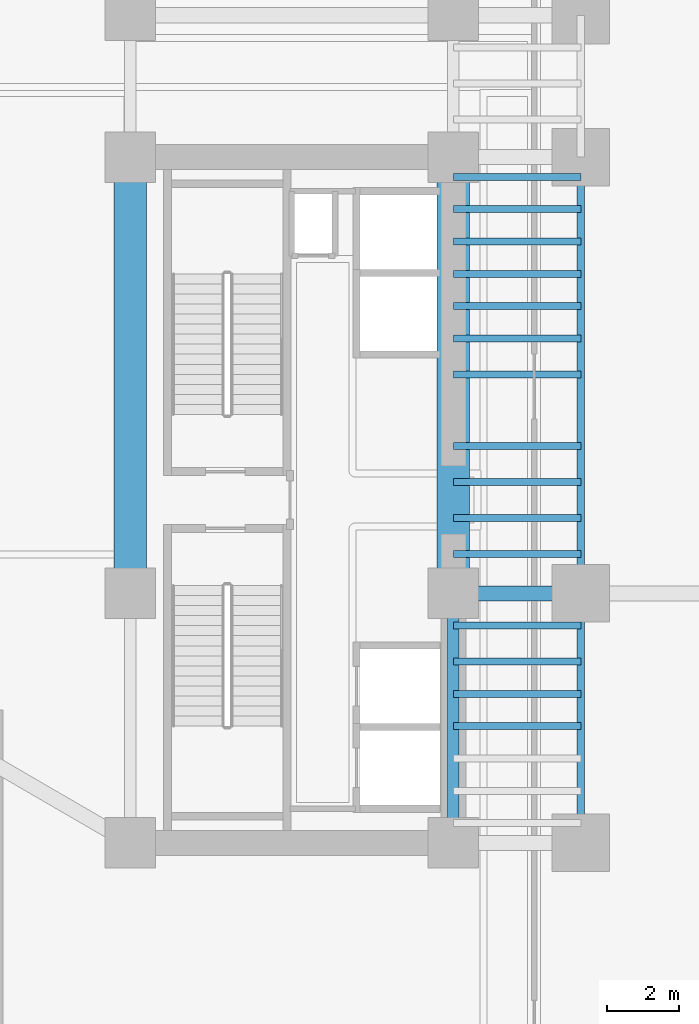
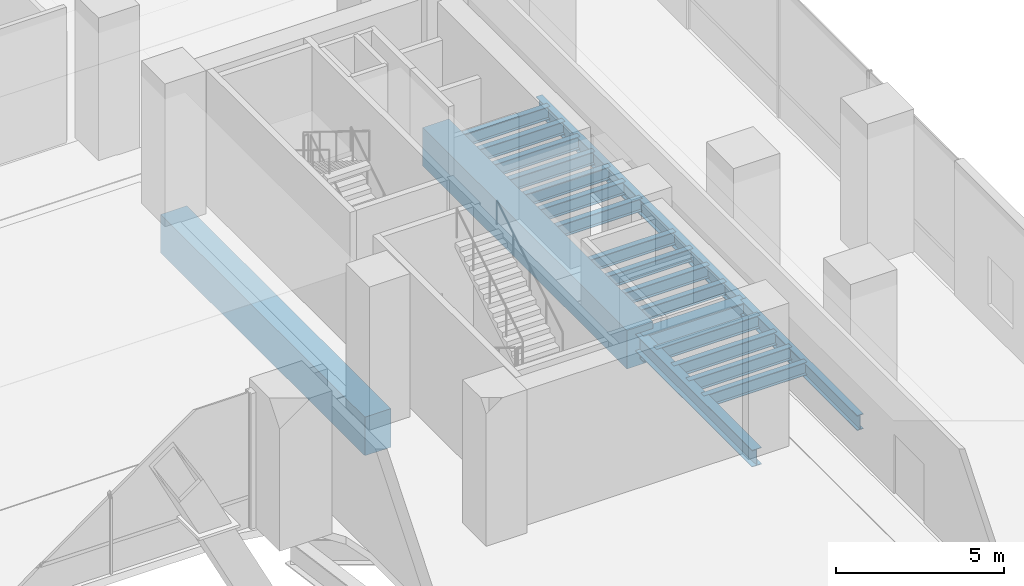
# One storey, part 11 of 39: 21 beams.
"""IFC4 building model written with IfcOpenShell, lengths in metres."""

from ifc_helpers import new_model, si_unit, direction, frame, origin, origin_2d, place, context, subcontext, project, spatial, rectangle, i_section, extrude, source, transform, mapped, material, material_profile, profile_set, type_object, element, save


model = new_model("IFC4")

# Units and contexts
model_context = context("Model", 3, precision=1e-05, world=origin(), true_north=direction((0.0, 1.0)))
body_context = subcontext(model_context, "Body", "Model", "MODEL_VIEW")
ifc_project = project(units=[si_unit("LENGTHUNIT", "METRE"), si_unit("AREAUNIT", "SQUARE_METRE"), si_unit("VOLUMEUNIT", "CUBIC_METRE"), si_unit("PLANEANGLEUNIT", "RADIAN"), si_unit("MASSUNIT", "GRAM", prefix="KILO")], contexts=[model_context])

# Site, building, storey
site_placement = place(None, origin())
site = spatial("IfcSite", under=ifc_project, at=site_placement, CompositionType="ELEMENT")
building_placement = place(site_placement, origin())
building = spatial("IfcBuilding", under=site, at=building_placement, Name="Valdorenza Pilgrim Sanctuary Tower", CompositionType="ELEMENT")
storey_placement = place(building_placement, frame((0.0, 0.0, 10.39990234375)))
storey = spatial("IfcBuildingStorey", under=building, at=storey_placement, Name="L02", CompositionType="ELEMENT", Elevation=10.39990234375)

# Beams
ifc_material_1 = material(Name="Concrete C60/75", Category="concrete")
ifc_material_profile_1 = material_profile(ifc_material_1, rectangle(XDim=0.89990234375, YDim=1.39990234375, at=origin_2d()), Name="RC 1400x900")
ifc_profile_set_1 = profile_set([ifc_material_profile_1], Name="Concrete C60/75")
beam_type_1 = type_object("IfcBeamType", Name="STR-BM-LNT-1400", PredefinedType="LINTEL", material=ifc_profile_set_1)
shared_shape_1 = source(origin(), body_context, "Body", "SweptSolid", [
    extrude(rectangle(XDim=0.89990234375, YDim=1.39990234375, at=origin_2d()), origin(), (0.0, 0.0, 1.0), 12.150146484375),
])
for number, where, z_axis, x_axis, name in (
    (1, (15.85009765625, -2.60009765625, -0.739990234375), (0.0, 1.0, 0.0), (-1.0, 0.0, 0.0), "L02 Core B West Coupling Lintel Girder"),
    (2, (24.85009765625, -2.60009765625, -0.739990234375), (0.0, 1.0, 0.0), (-1.0, 0.0, 0.0), "L02 Core B East Coupling Lintel Girder"),
):
    element("IfcBeam", number, at=place(storey_placement, frame(where, z_axis=z_axis, x_axis=x_axis)), inside=storey, type_object=beam_type_1, Name=name, PredefinedType="LINTEL", context=body_context, shape_type="MappedRepresentation", body=[
        mapped(shared_shape_1, transform((0.0, 0.0, 0.0), x_axis=(1.0, 0.0, 0.0), y_axis=(0.0, 1.0, 0.0), z_axis=(0.0, 0.0, 1.0), scale=1.0)),
    ])
ifc_material_2 = material(Name="Steel ASTM A992 Grade 50", Category="steel")
ifc_material_profile_2 = material_profile(ifc_material_2, i_section(OverallWidth=0.423095703125, OverallDepth=0.947998046875, WebThickness=0.02392578125, FlangeThickness=0.042724609375, at=origin_2d()), Name="W36X302")
ifc_profile_set_2 = profile_set([ifc_material_profile_2], Name="Steel ASTM A992 Grade 50")
beam_type_2 = type_object("IfcBeamType", Name="STR-BM-GRD-W36A", PredefinedType="BEAM", material=ifc_profile_set_2)
shared_shape_2 = source(origin(), body_context, "Body", "SweptSolid", [
    extrude(i_section(OverallWidth=0.423095703125, OverallDepth=0.947998046875, WebThickness=0.02392578125, FlangeThickness=0.042724609375, at=origin_2d()), origin(), (0.0, 0.0, 1.0), 3.5498046875),
])
beam_1_placement = place(storey_placement, frame((24.85009765625, -2.60009765625, -0.75390625), z_axis=(1.0, 0.0, 0.0), x_axis=(0.0, 1.0, 0.0)))
element("IfcBeam", 3, at=beam_1_placement, inside=storey, type_object=beam_type_2, Name="L02 Floor Girder WB-XE-M0", PredefinedType="BEAM", context=body_context, shape_type="MappedRepresentation", body=[
    mapped(shared_shape_2, transform((0.0, 0.0, 0.0), x_axis=(1.0, 0.0, 0.0), y_axis=(0.0, 1.0, 0.0), z_axis=(0.0, 0.0, 1.0), scale=1.0)),
])
ifc_material_profile_3 = material_profile(ifc_material_2, i_section(OverallWidth=0.323974609375, OverallDepth=0.611083984375, WebThickness=0.0126953125, FlangeThickness=0.01904296875, at=origin_2d()), Name="W24X104")
ifc_profile_set_3 = profile_set([ifc_material_profile_3], Name="Steel ASTM A992 Grade 50")
beam_type_3 = type_object("IfcBeamType", Name="STR-BM-GRD-W24B", PredefinedType="BEAM", material=ifc_profile_set_3)
shared_shape_3 = source(origin(), body_context, "Body", "SweptSolid", [
    extrude(i_section(OverallWidth=0.323974609375, OverallDepth=0.611083984375, WebThickness=0.0126953125, FlangeThickness=0.01904296875, at=origin_2d()), origin(), (0.0, 0.0, 1.0), 6.949951171875),
])
beam_2_placement = place(storey_placement, frame((24.85009765625, -9.550048828125, -0.58544921875), z_axis=(0.0, 1.0, 0.0), x_axis=(-1.0, 0.0, 0.0)))
element("IfcBeam", 4, at=beam_2_placement, inside=storey, type_object=beam_type_3, Name="L02 Core Tie Girder CB-E-S1M0", PredefinedType="BEAM", context=body_context, shape_type="MappedRepresentation", body=[
    mapped(shared_shape_3, transform((0.0, 0.0, 0.0), x_axis=(1.0, 0.0, 0.0), y_axis=(0.0, 1.0, 0.0), z_axis=(0.0, 0.0, 1.0), scale=1.0)),
])
ifc_material_profile_4 = material_profile(ifc_material_2, i_section(OverallWidth=0.214111328125, OverallDepth=0.549072265625, WebThickness=0.0146484375, FlangeThickness=0.023681640625, at=origin_2d()), Name="W21X93")
ifc_profile_set_4 = profile_set([ifc_material_profile_4], Name="Steel ASTM A992 Grade 50")
beam_type_4 = type_object("IfcBeamType", Name="STR-BM-SPN-W21A", PredefinedType="SPANDREL", material=ifc_profile_set_4)
shared_shape_4 = source(origin(), body_context, "Body", "SweptSolid", [
    extrude(i_section(OverallWidth=0.214111328125, OverallDepth=0.549072265625, WebThickness=0.0146484375, FlangeThickness=0.023681640625, at=origin_2d()), origin(), (0.0, 0.0, 1.0), 6.949951171875),
])
beam_3_placement = place(storey_placement, frame((28.39990234375, -9.550048828125, -0.554443359375), z_axis=(0.0, 1.0, 0.0), x_axis=(-1.0, 0.0, 0.0)))
element("IfcBeam", 5, at=beam_3_placement, inside=storey, type_object=beam_type_4, Name="L02 Spandrel Beam WB-E-S1M0", PredefinedType="SPANDREL", context=body_context, shape_type="MappedRepresentation", body=[
    mapped(shared_shape_4, transform((0.0, 0.0, 0.0), x_axis=(1.0, 0.0, 0.0), y_axis=(0.0, 1.0, 0.0), z_axis=(0.0, 0.0, 1.0), scale=1.0)),
])
shared_shape_5 = source(origin(), body_context, "Body", "SweptSolid", [
    extrude(i_section(OverallWidth=0.214111328125, OverallDepth=0.549072265625, WebThickness=0.0146484375, FlangeThickness=0.023681640625, at=origin_2d()), origin(), (0.0, 0.0, 1.0), 12.150146484375),
])
beam_4_placement = place(storey_placement, frame((28.39990234375, -2.60009765625, -0.554443359375), z_axis=(0.0, 1.0, 0.0), x_axis=(-1.0, 0.0, 0.0)))
element("IfcBeam", 6, at=beam_4_placement, inside=storey, type_object=beam_type_4, Name="L02 Spandrel Beam WB-E-M0N1", PredefinedType="SPANDREL", context=body_context, shape_type="MappedRepresentation", body=[
    mapped(shared_shape_5, transform((0.0, 0.0, 0.0), x_axis=(1.0, 0.0, 0.0), y_axis=(0.0, 1.0, 0.0), z_axis=(0.0, 0.0, 1.0), scale=1.0)),
])
ifc_material_profile_5 = material_profile(ifc_material_2, i_section(OverallWidth=0.193115234375, OverallDepth=0.466064453125, WebThickness=0.011474609375, FlangeThickness=0.01904296875, at=origin_2d()), Name="W18X65")
ifc_profile_set_5 = profile_set([ifc_material_profile_5], Name="Steel ASTM A992 Grade 50")
beam_type_5 = type_object("IfcBeamType", Name="STR-BM-JST-W18A", PredefinedType="JOIST", material=ifc_profile_set_5)
shared_shape_6 = source(origin(), body_context, "Body", "SweptSolid", [
    extrude(i_section(OverallWidth=0.193115234375, OverallDepth=0.466064453125, WebThickness=0.011474609375, FlangeThickness=0.01904296875, at=origin_2d()), origin(), (0.0, 0.0, 1.0), 3.5498046875),
])
for number, where, z_axis, x_axis, name in (
    (7, (24.85009765625, -6.300048828125, -0.512939453125), (1.0, 0.0, 0.0), (0.0, 1.0, 0.0), "L02 Composite Floor Joist JST-WB-4"),
    (8, (24.85009765625, -5.39990234375, -0.512939453125), (1.0, 0.0, 0.0), (0.0, 1.0, 0.0), "L02 Composite Floor Joist JST-WB-5"),
    (9, (24.85009765625, -4.5, -0.512939453125), (1.0, 0.0, 0.0), (0.0, 1.0, 0.0), "L02 Composite Floor Joist JST-WB-6"),
    (10, (24.85009765625, -3.5, -0.512939453125), (1.0, 0.0, 0.0), (0.0, 1.0, 0.0), "L02 Composite Floor Joist JST-WB-7"),
    (11, (24.85009765625, -1.5, -0.512939453125), (1.0, 0.0, 0.0), (0.0, 1.0, 0.0), "L02 Composite Floor Joist JST-WB-8"),
    (12, (24.85009765625, -0.5, -0.512939453125), (1.0, 0.0, 0.0), (0.0, 1.0, 0.0), "L02 Composite Floor Joist JST-WB-9"),
    (13, (24.85009765625, 0.5, -0.512939453125), (1.0, 0.0, 0.0), (0.0, 1.0, 0.0), "L02 Composite Floor Joist JST-WB-10"),
    (14, (24.85009765625, 1.5, -0.512939453125), (1.0, 0.0, 0.0), (0.0, 1.0, 0.0), "L02 Composite Floor Joist JST-WB-11"),
    (15, (24.85009765625, 3.5, -0.512939453125), (1.0, 0.0, 0.0), (0.0, 1.0, 0.0), "L02 Composite Floor Joist JST-WB-12"),
    (16, (24.85009765625, 4.5, -0.512939453125), (1.0, 0.0, 0.0), (0.0, 1.0, 0.0), "L02 Composite Floor Joist JST-WB-13"),
    (17, (24.85009765625, 5.39990234375, -0.512939453125), (1.0, 0.0, 0.0), (0.0, 1.0, 0.0), "L02 Composite Floor Joist JST-WB-14"),
    (18, (24.85009765625, 6.300048828125, -0.512939453125), (1.0, 0.0, 0.0), (0.0, 1.0, 0.0), "L02 Composite Floor Joist JST-WB-15"),
    (19, (24.85009765625, 7.199951171875, -0.512939453125), (1.0, 0.0, 0.0), (0.0, 1.0, 0.0), "L02 Composite Floor Joist JST-WB-16"),
    (20, (24.85009765625, 8.10009765625, -0.512939453125), (1.0, 0.0, 0.0), (0.0, 1.0, 0.0), "L02 Composite Floor Joist JST-WB-17"),
    (21, (24.85009765625, 9.0, -0.512939453125), (1.0, 0.0, 0.0), (0.0, 1.0, 0.0), "L02 Composite Floor Joist JST-WB-18"),
):
    element("IfcBeam", number, at=place(storey_placement, frame(where, z_axis=z_axis, x_axis=x_axis)), inside=storey, type_object=beam_type_5, Name=name, PredefinedType="JOIST", context=body_context, shape_type="MappedRepresentation", body=[
        mapped(shared_shape_6, transform((0.0, 0.0, 0.0), x_axis=(1.0, 0.0, 0.0), y_axis=(0.0, 1.0, 0.0), z_axis=(0.0, 0.0, 1.0), scale=1.0)),
    ])

save(model, "model.ifc")
